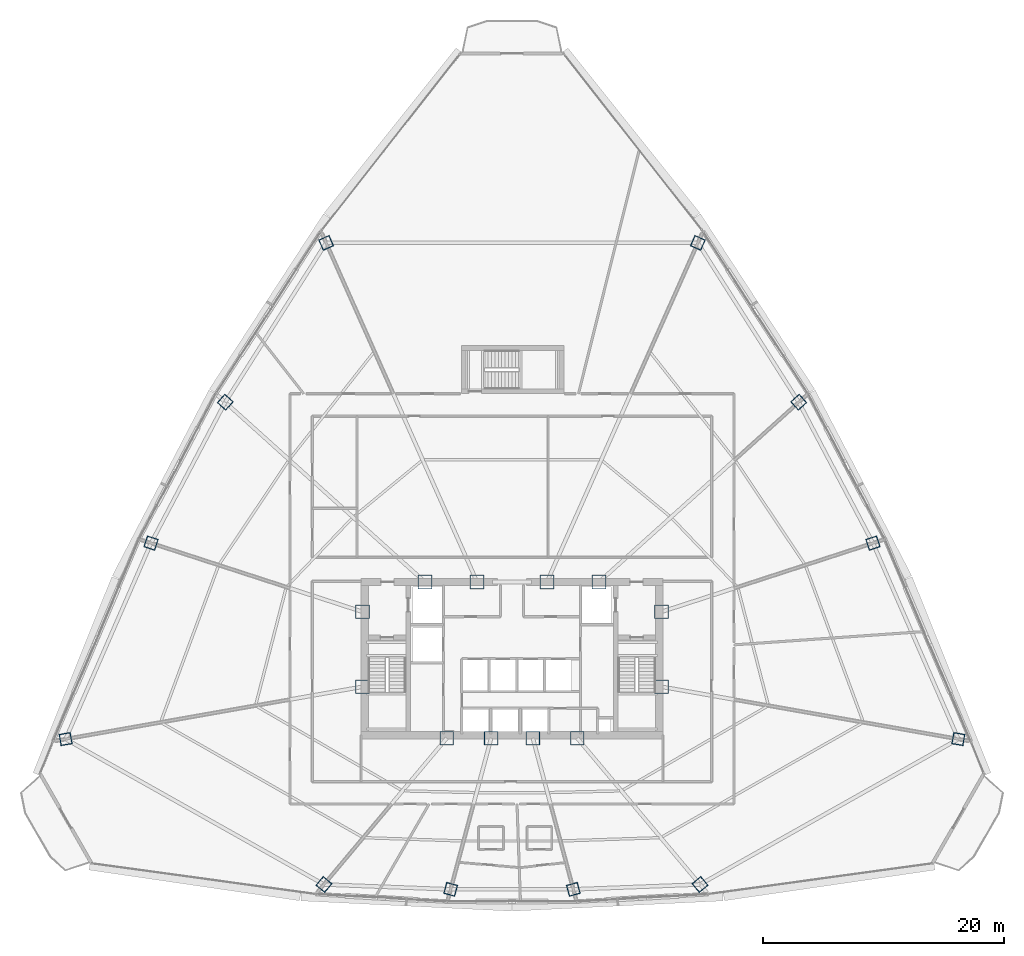
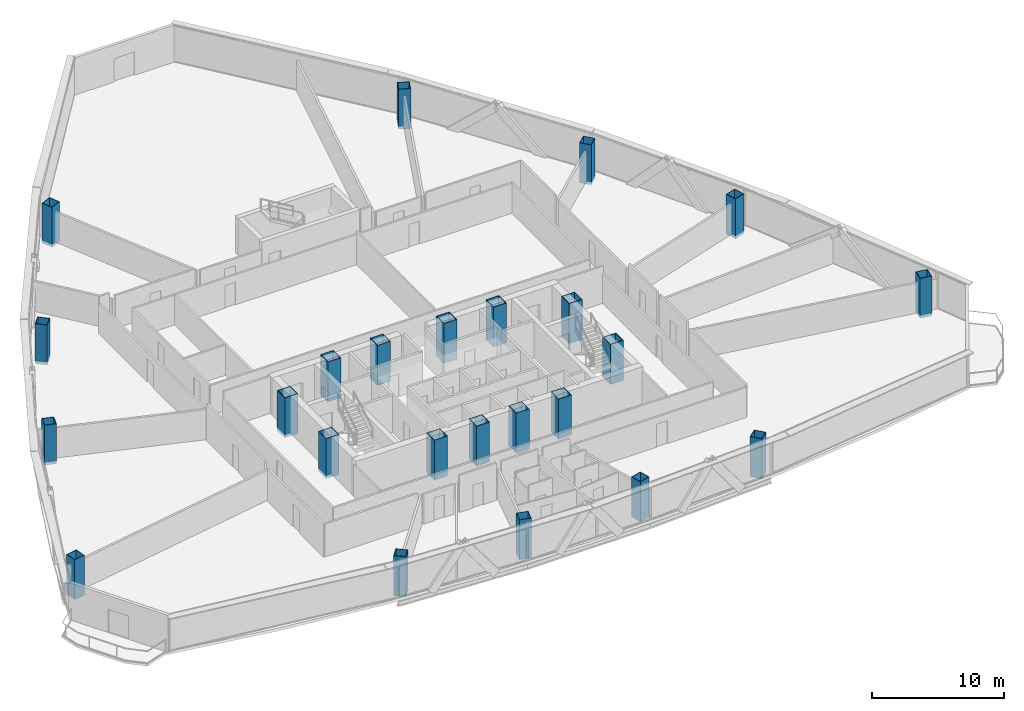
# One storey, part 1 of 39: 24 columns.
"""IFC4 building model written with IfcOpenShell, lengths in metres."""

from ifc_helpers import new_model, si_unit, direction, frame, origin, origin_2d, place, context, subcontext, project, spatial, hollow_rectangle, extrude, source, transform, mapped, material, material_profile, profile_set, type_object, element, save


model = new_model("IFC4")

# Units and contexts
model_context = context("Model", 3, precision=1e-05, world=origin(), true_north=direction((0.0, 1.0)))
body_context = subcontext(model_context, "Body", "Model", "MODEL_VIEW")
ifc_project = project(units=[si_unit("LENGTHUNIT", "METRE"), si_unit("AREAUNIT", "SQUARE_METRE"), si_unit("VOLUMEUNIT", "CUBIC_METRE"), si_unit("PLANEANGLEUNIT", "RADIAN"), si_unit("MASSUNIT", "GRAM", prefix="KILO"), si_unit("THERMODYNAMICTEMPERATUREUNIT", "KELVIN"), si_unit("POWERUNIT", "WATT")], contexts=[model_context])

# Site, building, storey
site_placement = place(None, origin())
site = spatial("IfcSite", under=ifc_project, at=site_placement, CompositionType="ELEMENT")
building_placement = place(site_placement, origin())
building = spatial("IfcBuilding", under=site, at=building_placement, Name="Yunzhuo Pagoda Commons", CompositionType="ELEMENT")
storey_placement = place(building_placement, frame((0.0, 0.0, 162.949951171875)))
storey = spatial("IfcBuildingStorey", under=building, at=storey_placement, Name="L41", CompositionType="ELEMENT", Elevation=162.949951171875)

# Columns
ifc_material = material(Name="Structural steel Q420B", Category="steel")
ifc_material_profile_1 = material_profile(ifc_material, hollow_rectangle(XDim=1.14990234375, YDim=1.14990234375, WallThickness=0.048095703125, at=origin_2d()), Name="Structural steel Q420B")
ifc_profile_set_1 = profile_set([ifc_material_profile_1], Name="Structural steel Q420B")
column_type_1 = type_object("IfcColumnType", Name="C-COR Column BOX 1150x1150x48", PredefinedType="COLUMN", material=ifc_profile_set_1)
shared_shape_1 = source(origin(), body_context, "Body", "SweptSolid", [
    extrude(hollow_rectangle(XDim=1.14990234375, YDim=1.14990234375, WallThickness=0.048095703125, at=origin_2d()), origin(), (0.0, 0.0, 1.0), 3.68017578125),
])
for number, where, z_axis, x_axis, name in (
    (1, (42.587890625, 27.25, -0.260009765625), (0.0, 0.0, 1.0), (1.0, 0.0, 0.0), "L41 core composite column F1C1"),
    (2, (46.27197265625, 27.25, -0.260009765625), (0.0, 0.0, 1.0), (1.0, 0.0, 0.0), "L41 core composite column F1C2"),
    (3, (49.728515625, 27.25, -0.260009765625), (0.0, 0.0, 1.0), (1.0, 0.0, 0.0), "L41 core composite column F1C3"),
    (4, (53.412109375, 27.25, -0.260009765625), (0.0, 0.0, 1.0), (1.0, 0.0, 0.0), "L41 core composite column F1C4"),
    (5, (60.39990234375, 31.513427734375, -0.260009765625), (0.0, 0.0, 1.0), (1.0, 0.0, 0.0), "L41 core composite column F2C1"),
    (6, (60.39990234375, 37.72900390625, -0.260009765625), (0.0, 0.0, 1.0), (1.0, 0.0, 0.0), "L41 core composite column F2C2"),
    (7, (55.218994140625, 40.199951171875, -0.260009765625), (0.0, 0.0, 1.0), (1.0, 0.0, 0.0), "L41 core composite column F2C3"),
    (8, (50.89404296875, 40.199951171875, -0.260009765625), (0.0, 0.0, 1.0), (1.0, 0.0, 0.0), "L41 core composite column F2C4"),
    (9, (45.10595703125, 40.199951171875, -0.260009765625), (0.0, 0.0, 1.0), (1.0, 0.0, 0.0), "L41 core composite column F3C1"),
    (10, (40.781005859375, 40.199951171875, -0.260009765625), (0.0, 0.0, 1.0), (1.0, 0.0, 0.0), "L41 core composite column F3C2"),
    (11, (35.60009765625, 37.72900390625, -0.260009765625), (0.0, 0.0, 1.0), (1.0, 0.0, 0.0), "L41 core composite column F3C3"),
    (12, (35.60009765625, 31.513427734375, -0.260009765625), (0.0, 0.0, 1.0), (1.0, 0.0, 0.0), "L41 core composite column F3C4"),
):
    element("IfcColumn", number, at=place(storey_placement, frame(where, z_axis=z_axis, x_axis=x_axis)), inside=storey, type_object=column_type_1, Name=name, PredefinedType="COLUMN", context=body_context, shape_type="MappedRepresentation", body=[
        mapped(shared_shape_1, transform((0.0, 0.0, 0.0), scale=1.0)),
    ])
ifc_material_profile_2 = material_profile(ifc_material, hollow_rectangle(XDim=0.949951171875, YDim=0.949951171875, WallThickness=0.0400390625, at=origin_2d()), Name="Structural steel Q420B")
ifc_profile_set_2 = profile_set([ifc_material_profile_2], Name="Structural steel Q420B")
column_type_2 = type_object("IfcColumnType", Name="C-Z3 Column BOX 950x950x40", PredefinedType="COLUMN", material=ifc_profile_set_2)
shared_shape_2 = source(origin(), body_context, "Body", "SweptSolid", [
    extrude(hollow_rectangle(XDim=0.949951171875, YDim=0.949951171875, WallThickness=0.0400390625, at=origin_2d()), origin(), (0.0, 0.0, 1.0), 3.68017578125),
])
for number, where, z_axis, x_axis, name in (
    (13, (32.414794921875, 15.126220703125, -0.260009765625), (0.0, 0.0, 1.0), (0.766044443119, -0.642787609687, 0.0), "L41 tower column F1C1"),
    (14, (42.914794921875, 14.7216796875, -0.260009765625), (0.0, 0.0, 1.0), (0.965925826289, -0.258819045103, 0.0), "L41 tower column F1C2"),
    (15, (53.085205078125, 14.7216796875, -0.260009765625), (0.0, 0.0, 1.0), (0.965925826289, 0.258819045103, 0.0), "L41 tower column F1C3"),
    (16, (63.585205078125, 15.126220703125, -0.260009765625), (0.0, 0.0, 1.0), (0.766044443119, 0.642787609687, 0.0), "L41 tower column F1C4"),
    (17, (84.9970703125, 27.176513671875, -0.260009765625), (0.0, 0.0, 1.0), (0.173648177667, 0.984807753012, 0.0), "L41 tower column F2C1"),
    (18, (77.915283203125, 43.420166015625, -0.260009765625), (0.0, 0.0, 1.0), (-0.309016994375, 0.951056516295, 0.0), "L41 tower column F2C2"),
    (19, (71.76611328125, 55.09912109375, -0.260009765625), (0.0, 0.0, 1.0), (-0.669130606359, 0.743144825477, 0.0), "L41 tower column F2C3"),
    (20, (63.406005859375, 68.302734375, -0.260009765625), (0.0, 0.0, 1.0), (-0.913545457643, 0.406736643076, 0.0), "L41 tower column F2C4"),
    (21, (32.593994140625, 68.302734375, -0.260009765625), (0.0, 0.0, 1.0), (-0.913545457643, -0.406736643076, 0.0), "L41 tower column F3C1"),
    (22, (24.23388671875, 55.09912109375, -0.260009765625), (0.0, 0.0, 1.0), (-0.669130606359, -0.743144825477, 0.0), "L41 tower column F3C2"),
    (23, (18.084716796875, 43.420166015625, -0.260009765625), (0.0, 0.0, 1.0), (-0.309016994375, -0.951056516295, 0.0), "L41 tower column F3C3"),
    (24, (11.0029296875, 27.176513671875, -0.260009765625), (0.0, 0.0, 1.0), (0.173648177667, -0.984807753012, 0.0), "L41 tower column F3C4"),
):
    element("IfcColumn", number, at=place(storey_placement, frame(where, z_axis=z_axis, x_axis=x_axis)), inside=storey, type_object=column_type_2, Name=name, PredefinedType="COLUMN", context=body_context, shape_type="MappedRepresentation", body=[
        mapped(shared_shape_2, transform((0.0, 0.0, 0.0), scale=1.0)),
    ])

save(model, "model.ifc")
